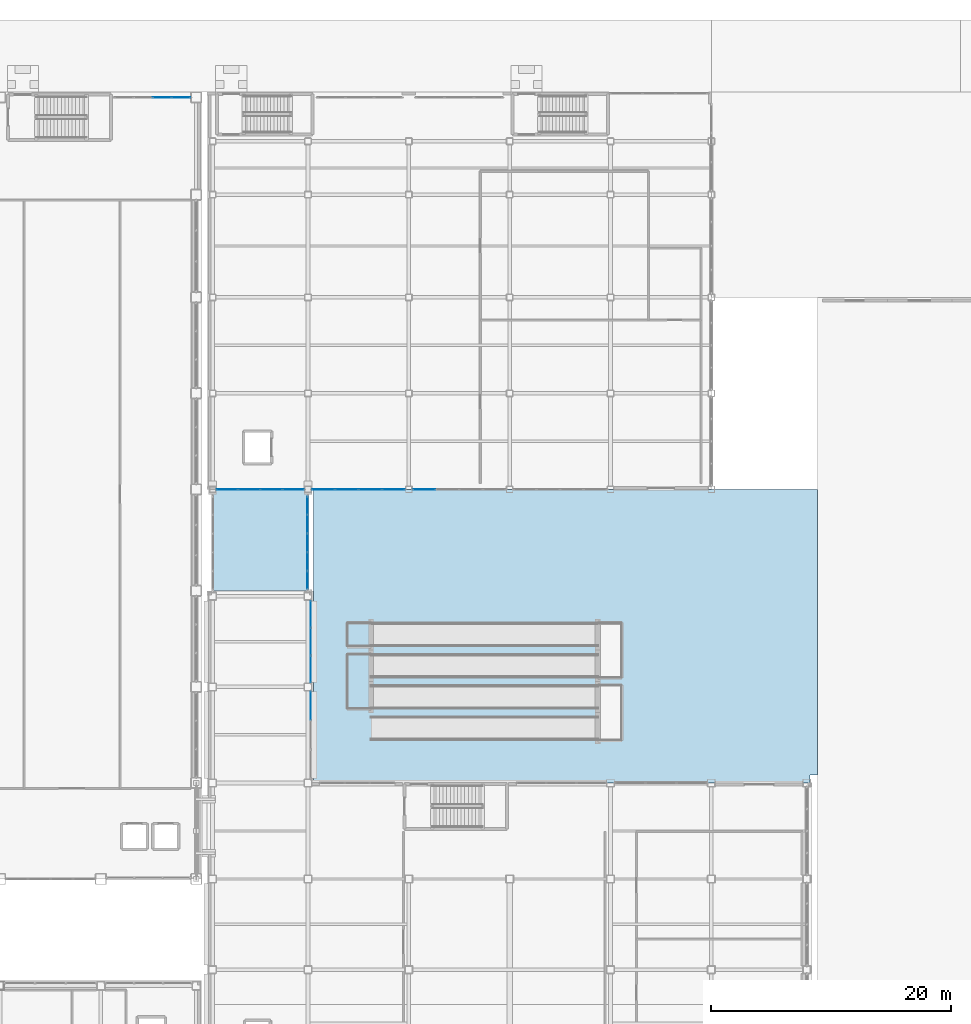
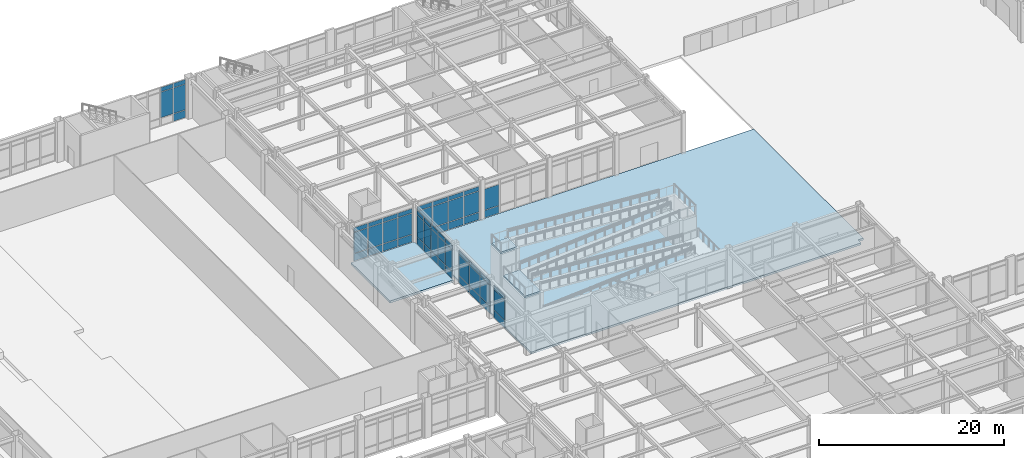
# One storey, part 117 of 165: 58 plates, 4 slabs, 8 elements without a shape of their own.
"""IFC4 building model written with IfcOpenShell, lengths in metres."""

import ifcopenshell
import ifcopenshell.guid

model = None  # the IFC model being written
_history = None  # IfcOwnerHistory: only IFC2X3 demands one
_inside = {}  # id of a spatial element -> (the spatial element, [elements in it])
_under = {}  # id of a project, library or spatial element -> (it, [spatial elements below it])
_declared = {}  # id of a project -> (the project, [libraries it declares])
_typed = {}  # id of a type object -> (the type object, [elements of that type])
_made_of = {}  # id of a material, layer set ... -> (it, [elements and type objects made of it])


def new_model(schema):
    """Start an empty IFC model of exactly this schema.

    Asked for "IFC4X3", IfcOpenShell would pick the latest addendum, in which some entities
    have other attributes; the version numbers below select the first issue.
    IFC2X3 requires an IfcOwnerHistory on every rooted entity: one is made here for all.
    """
    global model, _history
    if schema == "IFC4X3":
        model = ifcopenshell.file(schema_version=(4, 3, 0, 0))
    else:
        model = ifcopenshell.file(schema=schema)
    _inside.clear()
    _under.clear()
    _declared.clear()
    _typed.clear()
    _made_of.clear()
    _history = None
    if model.schema == "IFC2X3":
        org = make("IfcOrganization", Name="unknown")
        user = make(
            "IfcPersonAndOrganization",
            ThePerson=make("IfcPerson", FamilyName="unknown"),
            TheOrganization=org,
        )
        app = make(
            "IfcApplication",
            ApplicationDeveloper=org,
            Version="unknown",
            ApplicationFullName="unknown",
            ApplicationIdentifier="unknown",
        )
        _history = make(
            "IfcOwnerHistory",
            OwningUser=user,
            OwningApplication=app,
            ChangeAction="ADDED",
            CreationDate=0,
        )
    return model


def make(cls, **values):
    """One entity of the class cls with the attributes given. An attribute that is None is left unset."""
    return model.create_entity(
        cls, **{name: value for name, value in values.items() if value is not None}
    )


def rooted(cls, **values):
    """An entity with a GlobalId (a new one), such as an element, a storey or a relation."""
    return make(cls, GlobalId=ifcopenshell.guid.new(), OwnerHistory=_history, **values)


def si_unit(unit_type, name, prefix=None):
    """IfcSIUnit, for example si_unit("LENGTHUNIT", "METRE", prefix="MILLI")."""
    return make("IfcSIUnit", UnitType=unit_type, Prefix=prefix, Name=name)


def assignment(units):
    """IfcUnitAssignment: the units of a project."""
    return None if units is None else make("IfcUnitAssignment", Units=units)


def point(xyz):
    """IfcCartesianPoint."""
    return None if xyz is None else make("IfcCartesianPoint", Coordinates=xyz)


def direction(xyz):
    """IfcDirection."""
    return None if xyz is None else make("IfcDirection", DirectionRatios=xyz)


def frame(location, z_axis=None, x_axis=None):
    """IfcAxis2Placement3D, a coordinate frame: its origin and axes. An axis left out is left unset."""
    return make(
        "IfcAxis2Placement3D",
        Location=point(location),
        Axis=direction(z_axis),
        RefDirection=direction(x_axis),
    )


def frame_2d(location, x_axis=None):
    """IfcAxis2Placement2D, a coordinate frame in the plane: its origin and x axis."""
    return make(
        "IfcAxis2Placement2D", Location=point(location), RefDirection=direction(x_axis)
    )


def origin():
    """The frame at (0, 0, 0) with its axes left unset."""
    return frame((0.0, 0.0, 0.0))


def origin_2d():
    """The frame at (0, 0) in the plane with its x axis left unset."""
    return frame_2d((0.0, 0.0))


def place(relative_to, where):
    """IfcLocalPlacement: puts the frame where relative to a parent placement (None: the world)."""
    return make(
        "IfcLocalPlacement", PlacementRelTo=relative_to, RelativePlacement=where
    )


def context(
    kind, dimensions, precision=None, world=None, true_north=None, identifier=None
):
    """IfcGeometricRepresentationContext, for example the 3D "Model" context."""
    return make(
        "IfcGeometricRepresentationContext",
        ContextIdentifier=identifier,
        ContextType=kind,
        CoordinateSpaceDimension=dimensions,
        Precision=precision,
        WorldCoordinateSystem=world,
        TrueNorth=true_north,
    )


def subcontext(parent, identifier, kind, view, scale=None):
    """IfcGeometricRepresentationSubContext, for example "Body" below "Model"."""
    return make(
        "IfcGeometricRepresentationSubContext",
        ContextIdentifier=identifier,
        ContextType=kind,
        ParentContext=parent,
        TargetScale=scale,
        TargetView=view,
    )


def project(units=None, contexts=None):
    """IfcProject with its units and contexts."""
    return rooted(
        "IfcProject",
        Name="project",
        RepresentationContexts=contexts,
        UnitsInContext=assignment(units),
    )


def spatial(cls, under=None, at=None, **own):
    """A site, building, storey or space (cls), placed at a placement, below another one or the project."""
    s = rooted(cls, ObjectPlacement=at, **own)
    if under is not None:
        _under.setdefault(under.id(), (under, []))[1].append(s)
    return s


def polyline(points):
    """IfcPolyline through the points."""
    return make("IfcPolyline", Points=[point(p) for p in points])


def profile(cls, at=None, kind="AREA", **sizes):
    """A parametric profile (cls). Its sizes go by their IFC names, for example OverallWidth=200.0."""
    return make(cls, ProfileType=kind, Position=at, **sizes)


def rectangle(**sizes):
    """IfcRectangleProfileDef."""
    return profile("IfcRectangleProfileDef", **sizes)


def outline(outer, holes=None, kind="AREA"):
    """IfcArbitraryClosedProfileDef: a profile drawn as a closed curve; with holes, ...WithVoids."""
    if holes is None:
        return make("IfcArbitraryClosedProfileDef", ProfileType=kind, OuterCurve=outer)
    return make(
        "IfcArbitraryProfileDefWithVoids",
        ProfileType=kind,
        OuterCurve=outer,
        InnerCurves=holes,
    )


def extrude(swept, where, along, depth):
    """IfcExtrudedAreaSolid: the profile swept, set in the frame where, extruded along a direction by depth."""
    return make(
        "IfcExtrudedAreaSolid",
        SweptArea=swept,
        Position=where,
        ExtrudedDirection=direction(along),
        Depth=depth,
    )


def shape(context_of_items, identifier, shape_type, items):
    """IfcShapeRepresentation: the items that make up one representation, for example the "Body"."""
    return make(
        "IfcShapeRepresentation",
        ContextOfItems=context_of_items,
        RepresentationIdentifier=identifier,
        RepresentationType=shape_type,
        Items=items,
    )


def material(Name=None, Category=None):
    """IfcMaterial."""
    return make("IfcMaterial", Name=Name, Category=Category)


def layer(
    of_material, thickness, ventilated=None, Name=None, Category=None, Priority=None
):
    """IfcMaterialLayer: one layer of a wall or slab, of a material (None: an air gap)."""
    return make(
        "IfcMaterialLayer",
        Material=of_material,
        LayerThickness=thickness,
        IsVentilated=ventilated,
        Name=Name,
        Category=Category,
        Priority=Priority,
    )


def layer_set(layers, Name=None):
    """IfcMaterialLayerSet."""
    return make("IfcMaterialLayerSet", MaterialLayers=layers, LayerSetName=Name)


def made_of(thing, what):
    """Note that an element or type object is made of a material, layer set ...; save() writes the relation."""
    if what is not None:
        _made_of.setdefault(what.id(), (what, []))[1].append(thing)
    return thing


def type_object(cls, material=None, **own):
    """A type object (cls), such as IfcWallType, which elements share."""
    return made_of(rooted(cls, **own), material)


def element(
    cls,
    number,
    at=None,
    inside=None,
    cuts=None,
    type_object=None,
    material=None,
    context=None,
    identifier="Body",
    shape_type=None,
    held_by="IfcProductDefinitionShape",
    body=None,
    shapes=None,
    **own,
):
    """One element of the class cls, such as IfcWall. Its Tag is "e" and its number.

    at: its placement. inside: the storey or other place that contains it. cuts: it is an
    opening in that element (IfcRelVoidsElement). A single representation is given by context,
    identifier, shape_type and body (its items); several are given by shapes. held_by: the class
    of the entity that holds the representations. save() writes the other relations.
    """
    e = rooted(cls, Tag="e%d" % number, ObjectPlacement=at, **own)
    if body is not None:
        shapes = [shape(context, identifier, shape_type, body)]
    if shapes is not None:
        e.Representation = make(held_by, Representations=shapes)
    if inside is not None:
        _inside.setdefault(inside.id(), (inside, []))[1].append(e)
    if cuts is not None:
        rooted(
            "IfcRelVoidsElement", RelatingBuildingElement=cuts, RelatedOpeningElement=e
        )
    if type_object is not None:
        _typed.setdefault(type_object.id(), (type_object, []))[1].append(e)
    return made_of(e, material)


def aggregate(whole, parts):
    """IfcRelAggregates: a whole, such as a stair, and the parts it consists of."""
    return rooted("IfcRelAggregates", RelatingObject=whole, RelatedObjects=parts)


def save(model, path):
    """Write the relations noted so far, then the file.

    IfcRelAggregates (storeys below a building ...), IfcRelContainedInSpatialStructure (elements
    in a storey), IfcRelDefinesByType, IfcRelAssociatesMaterial and IfcRelDeclares: one each for
    every whole, place, type object, material and project.
    """
    for whole, parts in _under.values():
        aggregate(whole, parts)
    for where, things in _inside.values():
        rooted(
            "IfcRelContainedInSpatialStructure",
            RelatedElements=things,
            RelatingStructure=where,
        )
    for kind, things in _typed.values():
        rooted("IfcRelDefinesByType", RelatedObjects=things, RelatingType=kind)
    for what, things in _made_of.values():
        rooted("IfcRelAssociatesMaterial", RelatedObjects=things, RelatingMaterial=what)
    for by, libraries in _declared.values():
        rooted("IfcRelDeclares", RelatingContext=by, RelatedDefinitions=libraries)
    model.write(path)


model = new_model("IFC4")

# Units and contexts
model_context = context("Model", 3, precision=1e-05, world=origin(), true_north=direction((0.0, 1.0)))
body_context = subcontext(model_context, "Body", "Model", "MODEL_VIEW")
ifc_project = project(units=[si_unit("LENGTHUNIT", "METRE"), si_unit("AREAUNIT", "SQUARE_METRE"), si_unit("VOLUMEUNIT", "CUBIC_METRE"), si_unit("PLANEANGLEUNIT", "RADIAN"), si_unit("MASSUNIT", "GRAM", prefix="KILO")], contexts=[model_context])

# Site, building, storey
site_placement = place(None, origin())
site = spatial("IfcSite", under=ifc_project, at=site_placement, CompositionType="ELEMENT")
building_placement = place(site_placement, origin())
building = spatial("IfcBuilding", under=site, at=building_placement, Name="Kazehara Bluff Congress Hotel", CompositionType="ELEMENT")
storey_placement = place(building_placement, origin())
storey = spatial("IfcBuildingStorey", under=building, at=storey_placement, Name="L00", CompositionType="ELEMENT", Elevation=0.0)

# Curtain wall, plates
ifc_material_1 = material(Name="Anodised aluminium", Category="aluminium")
ifc_layer_1 = layer(ifc_material_1, 0.159912109375)
ifc_layer_set_1 = layer_set([ifc_layer_1], Name="Anodised aluminium")
curtain_wall_type_1 = type_object("IfcCurtainWallType", Name="TP-CW-01", PredefinedType="NOTDEFINED", material=ifc_layer_set_1)
curtain_wall_1_placement = place(storey_placement, origin())
curtain_wall_1 = element("IfcCurtainWall", 1, at=curtain_wall_1_placement, inside=storey, type_object=curtain_wall_type_1, Name="L00 curtain wall CW-01 CW-BRG-34-L00-B", PredefinedType="NOTDEFINED")
ifc_material_2 = material(Name="Insulated low-E double glazing", Category="glass")
ifc_layer_2 = layer(ifc_material_2, 0.031982421875)
ifc_layer_set_2 = layer_set([ifc_layer_2], Name="Insulated low-E double glazing")
plate_type = type_object("IfcPlateType", Name="TP-CWP-02", PredefinedType="CURTAIN_PANEL", material=ifc_layer_set_2)
plate_1_placement = place(storey_placement, frame((67.60009765625, 73.347412109375, 0.06494140625), z_axis=(0.0, 0.0, 1.0), x_axis=(0.0, 1.0, 0.0)))
plate_1 = element("IfcPlate", 2, at=plate_1_placement, type_object=plate_type, Name="CW-01 panel 1.1", PredefinedType="CURTAIN_PANEL", context=body_context, shape_type="SweptSolid", body=[
    extrude(rectangle(XDim=1.455078125, YDim=0.031982421875, at=origin_2d()), origin(), (0.0, 0.0, 1.0), 0.952392578125),
])
plate_2_placement = place(storey_placement, frame((67.60009765625, 73.347412109375, 1.08251953125), z_axis=(0.0, 0.0, 1.0), x_axis=(0.0, 1.0, 0.0)))
plate_2 = element("IfcPlate", 3, at=plate_2_placement, type_object=plate_type, Name="CW-01 panel 1.2", PredefinedType="CURTAIN_PANEL", context=body_context, shape_type="SweptSolid", body=[
    extrude(rectangle(XDim=1.455078125, YDim=0.031982421875, at=origin_2d()), origin(), (0.0, 0.0, 1.0), 2.860107421875),
])
plate_3_placement = place(storey_placement, frame((67.60009765625, 73.347412109375, 4.00732421875), z_axis=(0.0, 0.0, 1.0), x_axis=(0.0, 1.0, 0.0)))
plate_3 = element("IfcPlate", 4, at=plate_3_placement, type_object=plate_type, Name="CW-01 panel 1.3", PredefinedType="CURTAIN_PANEL", context=body_context, shape_type="SweptSolid", body=[
    extrude(rectangle(XDim=1.455078125, YDim=0.031982421875, at=origin_2d()), origin(), (0.0, 0.0, 1.0), 0.552490234375),
])
plate_4_placement = place(storey_placement, frame((67.60009765625, 74.889892578125, 0.06494140625), z_axis=(0.0, 0.0, 1.0), x_axis=(0.0, 1.0, 0.0)))
plate_4 = element("IfcPlate", 5, at=plate_4_placement, type_object=plate_type, Name="CW-01 panel 2.1", PredefinedType="CURTAIN_PANEL", context=body_context, shape_type="SweptSolid", body=[
    extrude(rectangle(XDim=1.489990234375, YDim=0.031982421875, at=origin_2d()), origin(), (0.0, 0.0, 1.0), 0.952392578125),
])
plate_5_placement = place(storey_placement, frame((67.60009765625, 74.889892578125, 1.08251953125), z_axis=(0.0, 0.0, 1.0), x_axis=(0.0, 1.0, 0.0)))
plate_5 = element("IfcPlate", 6, at=plate_5_placement, type_object=plate_type, Name="CW-01 panel 2.2", PredefinedType="CURTAIN_PANEL", context=body_context, shape_type="SweptSolid", body=[
    extrude(rectangle(XDim=1.489990234375, YDim=0.031982421875, at=origin_2d()), origin(), (0.0, 0.0, 1.0), 2.860107421875),
])
plate_6_placement = place(storey_placement, frame((67.60009765625, 74.889892578125, 4.00732421875), z_axis=(0.0, 0.0, 1.0), x_axis=(0.0, 1.0, 0.0)))
plate_6 = element("IfcPlate", 7, at=plate_6_placement, type_object=plate_type, Name="CW-01 panel 2.3", PredefinedType="CURTAIN_PANEL", context=body_context, shape_type="SweptSolid", body=[
    extrude(rectangle(XDim=1.489990234375, YDim=0.031982421875, at=origin_2d()), origin(), (0.0, 0.0, 1.0), 0.552490234375),
])
plate_7_placement = place(storey_placement, frame((67.60009765625, 76.449951171875, 0.06494140625), z_axis=(0.0, 0.0, 1.0), x_axis=(0.0, 1.0, 0.0)))
plate_7 = element("IfcPlate", 8, at=plate_7_placement, type_object=plate_type, Name="CW-01 panel 3.1", PredefinedType="CURTAIN_PANEL", context=body_context, shape_type="SweptSolid", body=[
    extrude(rectangle(XDim=1.489990234375, YDim=0.031982421875, at=origin_2d()), origin(), (0.0, 0.0, 1.0), 0.952392578125),
])
plate_8_placement = place(storey_placement, frame((67.60009765625, 76.449951171875, 1.08251953125), z_axis=(0.0, 0.0, 1.0), x_axis=(0.0, 1.0, 0.0)))
plate_8 = element("IfcPlate", 9, at=plate_8_placement, type_object=plate_type, Name="CW-01 panel 3.2", PredefinedType="CURTAIN_PANEL", context=body_context, shape_type="SweptSolid", body=[
    extrude(rectangle(XDim=1.489990234375, YDim=0.031982421875, at=origin_2d()), origin(), (0.0, 0.0, 1.0), 2.860107421875),
])
plate_9_placement = place(storey_placement, frame((67.60009765625, 76.449951171875, 4.00732421875), z_axis=(0.0, 0.0, 1.0), x_axis=(0.0, 1.0, 0.0)))
plate_9 = element("IfcPlate", 10, at=plate_9_placement, type_object=plate_type, Name="CW-01 panel 3.3", PredefinedType="CURTAIN_PANEL", context=body_context, shape_type="SweptSolid", body=[
    extrude(rectangle(XDim=1.489990234375, YDim=0.031982421875, at=origin_2d()), origin(), (0.0, 0.0, 1.0), 0.552490234375),
])
plate_10_placement = place(storey_placement, frame((67.60009765625, 78.010009765625, 0.06494140625), z_axis=(0.0, 0.0, 1.0), x_axis=(0.0, 1.0, 0.0)))
plate_10 = element("IfcPlate", 11, at=plate_10_placement, type_object=plate_type, Name="CW-01 panel 4.1", PredefinedType="CURTAIN_PANEL", context=body_context, shape_type="SweptSolid", body=[
    extrude(rectangle(XDim=1.489990234375, YDim=0.031982421875, at=origin_2d()), origin(), (0.0, 0.0, 1.0), 0.952392578125),
])
plate_11_placement = place(storey_placement, frame((67.60009765625, 78.010009765625, 1.08251953125), z_axis=(0.0, 0.0, 1.0), x_axis=(0.0, 1.0, 0.0)))
plate_11 = element("IfcPlate", 12, at=plate_11_placement, type_object=plate_type, Name="CW-01 panel 4.2", PredefinedType="CURTAIN_PANEL", context=body_context, shape_type="SweptSolid", body=[
    extrude(rectangle(XDim=1.489990234375, YDim=0.031982421875, at=origin_2d()), origin(), (0.0, 0.0, 1.0), 2.860107421875),
])
plate_12_placement = place(storey_placement, frame((67.60009765625, 78.010009765625, 4.00732421875), z_axis=(0.0, 0.0, 1.0), x_axis=(0.0, 1.0, 0.0)))
plate_12 = element("IfcPlate", 13, at=plate_12_placement, type_object=plate_type, Name="CW-01 panel 4.3", PredefinedType="CURTAIN_PANEL", context=body_context, shape_type="SweptSolid", body=[
    extrude(rectangle(XDim=1.489990234375, YDim=0.031982421875, at=origin_2d()), origin(), (0.0, 0.0, 1.0), 0.552490234375),
])
plate_13_placement = place(storey_placement, frame((67.60009765625, 79.552490234375, 0.06494140625), z_axis=(0.0, 0.0, 1.0), x_axis=(0.0, 1.0, 0.0)))
plate_13 = element("IfcPlate", 14, at=plate_13_placement, type_object=plate_type, Name="CW-01 panel 5.1", PredefinedType="CURTAIN_PANEL", context=body_context, shape_type="SweptSolid", body=[
    extrude(rectangle(XDim=1.455078125, YDim=0.031982421875, at=origin_2d()), origin(), (0.0, 0.0, 1.0), 0.952392578125),
])
plate_14_placement = place(storey_placement, frame((67.60009765625, 79.552490234375, 1.08251953125), z_axis=(0.0, 0.0, 1.0), x_axis=(0.0, 1.0, 0.0)))
plate_14 = element("IfcPlate", 15, at=plate_14_placement, type_object=plate_type, Name="CW-01 panel 5.2", PredefinedType="CURTAIN_PANEL", context=body_context, shape_type="SweptSolid", body=[
    extrude(rectangle(XDim=1.455078125, YDim=0.031982421875, at=origin_2d()), origin(), (0.0, 0.0, 1.0), 2.860107421875),
])
plate_15_placement = place(storey_placement, frame((67.60009765625, 79.552490234375, 4.00732421875), z_axis=(0.0, 0.0, 1.0), x_axis=(0.0, 1.0, 0.0)))
plate_15 = element("IfcPlate", 16, at=plate_15_placement, type_object=plate_type, Name="CW-01 panel 5.3", PredefinedType="CURTAIN_PANEL", context=body_context, shape_type="SweptSolid", body=[
    extrude(rectangle(XDim=1.455078125, YDim=0.031982421875, at=origin_2d()), origin(), (0.0, 0.0, 1.0), 0.552490234375),
])
aggregate(curtain_wall_1, [plate_1, plate_2, plate_3, plate_4, plate_5, plate_6, plate_7, plate_8, plate_9, plate_10, plate_11, plate_12, plate_13, plate_14, plate_15])

ifc_material_3 = material(Name="Anodised aluminium", Category="aluminium")
ifc_layer_3 = layer(ifc_material_3, 0.159912109375)
ifc_layer_set_3 = layer_set([ifc_layer_3], Name="Anodised aluminium")
curtain_wall_type_2 = type_object("IfcCurtainWallType", Name="TP-CW-06", PredefinedType="NOTDEFINED", material=ifc_layer_set_3)
curtain_wall_2_placement = place(storey_placement, origin())
curtain_wall_2 = element("IfcCurtainWall", 17, at=curtain_wall_2_placement, inside=storey, type_object=curtain_wall_type_2, Name="L00 curtain wall CW-06 CW-V1-L00-Y11355-5150", PredefinedType="NOTDEFINED")
plate_16_placement = place(storey_placement, frame((55.5, 113.550048828125, 1.080078125), z_axis=(0.0, 0.0, 1.0), x_axis=(1.0, 0.0, 0.0)))
plate_16 = element("IfcPlate", 18, at=plate_16_placement, type_object=plate_type, Name="CW-06 panel 3.2", PredefinedType="CURTAIN_PANEL", context=body_context, shape_type="SweptSolid", body=[
    extrude(rectangle(XDim=1.530029296875, YDim=0.031982421875, at=origin_2d()), origin(), (0.0, 0.0, 1.0), 3.375),
])
plate_17_placement = place(storey_placement, frame((55.5, 113.550048828125, 4.514892578125), z_axis=(0.0, 0.0, 1.0), x_axis=(1.0, 0.0, 0.0)))
plate_17 = element("IfcPlate", 19, at=plate_17_placement, type_object=plate_type, Name="CW-06 panel 3.3", PredefinedType="CURTAIN_PANEL", context=body_context, shape_type="SweptSolid", body=[
    extrude(rectangle(XDim=1.530029296875, YDim=0.031982421875, at=origin_2d()), origin(), (0.0, 0.0, 1.0), 0.56005859375),
])
plate_18_placement = place(storey_placement, frame((57.08251953125, 113.550048828125, 0.06005859375), z_axis=(0.0, 0.0, 1.0), x_axis=(1.0, 0.0, 0.0)))
plate_18 = element("IfcPlate", 20, at=plate_18_placement, type_object=plate_type, Name="CW-06 panel 4.1", PredefinedType="CURTAIN_PANEL", context=body_context, shape_type="SweptSolid", body=[
    extrude(rectangle(XDim=1.4951171875, YDim=0.031982421875, at=origin_2d()), origin(), (0.0, 0.0, 1.0), 0.9599609375),
])
plate_19_placement = place(storey_placement, frame((57.08251953125, 113.550048828125, 1.080078125), z_axis=(0.0, 0.0, 1.0), x_axis=(1.0, 0.0, 0.0)))
plate_19 = element("IfcPlate", 21, at=plate_19_placement, type_object=plate_type, Name="CW-06 panel 4.2", PredefinedType="CURTAIN_PANEL", context=body_context, shape_type="SweptSolid", body=[
    extrude(rectangle(XDim=1.4951171875, YDim=0.031982421875, at=origin_2d()), origin(), (0.0, 0.0, 1.0), 3.375),
])
plate_20_placement = place(storey_placement, frame((57.08251953125, 113.550048828125, 4.514892578125), z_axis=(0.0, 0.0, 1.0), x_axis=(1.0, 0.0, 0.0)))
plate_20 = element("IfcPlate", 22, at=plate_20_placement, type_object=plate_type, Name="CW-06 panel 4.3", PredefinedType="CURTAIN_PANEL", context=body_context, shape_type="SweptSolid", body=[
    extrude(rectangle(XDim=1.4951171875, YDim=0.031982421875, at=origin_2d()), origin(), (0.0, 0.0, 1.0), 0.56005859375),
])
aggregate(curtain_wall_2, [plate_16, plate_17, plate_18, plate_19, plate_20])

ifc_material_4 = material(Name="Anodised aluminium", Category="aluminium")
ifc_layer_4 = layer(ifc_material_4, 0.159912109375)
ifc_layer_set_4 = layer_set([ifc_layer_4], Name="Anodised aluminium")
curtain_wall_type_3 = type_object("IfcCurtainWallType", Name="TP-CW-35", PredefinedType="NOTDEFINED", material=ifc_layer_set_4)
curtain_wall_3_placement = place(storey_placement, origin())
curtain_wall_3 = element("IfcCurtainWall", 23, at=curtain_wall_3_placement, inside=storey, type_object=curtain_wall_type_3, Name="L00 curtain wall CW-35 CW-V3-L00-Y8090-5998", PredefinedType="NOTDEFINED")
plate_21_placement = place(storey_placement, frame((60.91748046875, 80.89990234375, 0.06494140625), z_axis=(0.0, 0.0, 1.0), x_axis=(1.0, 0.0, 0.0)))
plate_21 = element("IfcPlate", 24, at=plate_21_placement, type_object=plate_type, Name="CW-35 panel 1.1", PredefinedType="CURTAIN_PANEL", context=body_context, shape_type="SweptSolid", body=[
    extrude(rectangle(XDim=1.7451171875, YDim=0.031982421875, at=origin_2d()), origin(), (0.0, 0.0, 1.0), 0.952392578125),
])
plate_22_placement = place(storey_placement, frame((60.91748046875, 80.89990234375, 1.08251953125), z_axis=(0.0, 0.0, 1.0), x_axis=(1.0, 0.0, 0.0)))
plate_22 = element("IfcPlate", 25, at=plate_22_placement, type_object=plate_type, Name="CW-35 panel 1.2", PredefinedType="CURTAIN_PANEL", context=body_context, shape_type="SweptSolid", body=[
    extrude(rectangle(XDim=1.7451171875, YDim=0.031982421875, at=origin_2d()), origin(), (0.0, 0.0, 1.0), 2.760009765625),
])
plate_23_placement = place(storey_placement, frame((60.91748046875, 80.89990234375, 3.90771484375), z_axis=(0.0, 0.0, 1.0), x_axis=(1.0, 0.0, 0.0)))
plate_23 = element("IfcPlate", 26, at=plate_23_placement, type_object=plate_type, Name="CW-35 panel 1.3", PredefinedType="CURTAIN_PANEL", context=body_context, shape_type="SweptSolid", body=[
    extrude(rectangle(XDim=1.7451171875, YDim=0.031982421875, at=origin_2d()), origin(), (0.0, 0.0, 1.0), 0.552490234375),
])
plate_24_placement = place(storey_placement, frame((62.75, 80.89990234375, 0.06494140625), z_axis=(0.0, 0.0, 1.0), x_axis=(1.0, 0.0, 0.0)))
plate_24 = element("IfcPlate", 27, at=plate_24_placement, type_object=plate_type, Name="CW-35 panel 2.1", PredefinedType="CURTAIN_PANEL", context=body_context, shape_type="SweptSolid", body=[
    extrude(rectangle(XDim=1.780029296875, YDim=0.031982421875, at=origin_2d()), origin(), (0.0, 0.0, 1.0), 0.952392578125),
])
plate_25_placement = place(storey_placement, frame((62.75, 80.89990234375, 1.08251953125), z_axis=(0.0, 0.0, 1.0), x_axis=(1.0, 0.0, 0.0)))
plate_25 = element("IfcPlate", 28, at=plate_25_placement, type_object=plate_type, Name="CW-35 panel 2.2", PredefinedType="CURTAIN_PANEL", context=body_context, shape_type="SweptSolid", body=[
    extrude(rectangle(XDim=1.780029296875, YDim=0.031982421875, at=origin_2d()), origin(), (0.0, 0.0, 1.0), 2.760009765625),
])
plate_26_placement = place(storey_placement, frame((62.75, 80.89990234375, 3.90771484375), z_axis=(0.0, 0.0, 1.0), x_axis=(1.0, 0.0, 0.0)))
plate_26 = element("IfcPlate", 29, at=plate_26_placement, type_object=plate_type, Name="CW-35 panel 2.3", PredefinedType="CURTAIN_PANEL", context=body_context, shape_type="SweptSolid", body=[
    extrude(rectangle(XDim=1.780029296875, YDim=0.031982421875, at=origin_2d()), origin(), (0.0, 0.0, 1.0), 0.552490234375),
])
plate_27_placement = place(storey_placement, frame((64.60009765625, 80.89990234375, 0.06494140625), z_axis=(0.0, 0.0, 1.0), x_axis=(1.0, 0.0, 0.0)))
plate_27 = element("IfcPlate", 30, at=plate_27_placement, type_object=plate_type, Name="CW-35 panel 3.1", PredefinedType="CURTAIN_PANEL", context=body_context, shape_type="SweptSolid", body=[
    extrude(rectangle(XDim=1.780029296875, YDim=0.031982421875, at=origin_2d()), origin(), (0.0, 0.0, 1.0), 0.952392578125),
])
plate_28_placement = place(storey_placement, frame((64.60009765625, 80.89990234375, 1.08251953125), z_axis=(0.0, 0.0, 1.0), x_axis=(1.0, 0.0, 0.0)))
plate_28 = element("IfcPlate", 31, at=plate_28_placement, type_object=plate_type, Name="CW-35 panel 3.2", PredefinedType="CURTAIN_PANEL", context=body_context, shape_type="SweptSolid", body=[
    extrude(rectangle(XDim=1.780029296875, YDim=0.031982421875, at=origin_2d()), origin(), (0.0, 0.0, 1.0), 2.760009765625),
])
plate_29_placement = place(storey_placement, frame((64.60009765625, 80.89990234375, 3.90771484375), z_axis=(0.0, 0.0, 1.0), x_axis=(1.0, 0.0, 0.0)))
plate_29 = element("IfcPlate", 32, at=plate_29_placement, type_object=plate_type, Name="CW-35 panel 3.3", PredefinedType="CURTAIN_PANEL", context=body_context, shape_type="SweptSolid", body=[
    extrude(rectangle(XDim=1.780029296875, YDim=0.031982421875, at=origin_2d()), origin(), (0.0, 0.0, 1.0), 0.552490234375),
])
plate_30_placement = place(storey_placement, frame((66.4326171875, 80.89990234375, 0.06494140625), z_axis=(0.0, 0.0, 1.0), x_axis=(1.0, 0.0, 0.0)))
plate_30 = element("IfcPlate", 33, at=plate_30_placement, type_object=plate_type, Name="CW-35 panel 4.1", PredefinedType="CURTAIN_PANEL", context=body_context, shape_type="SweptSolid", body=[
    extrude(rectangle(XDim=1.7451171875, YDim=0.031982421875, at=origin_2d()), origin(), (0.0, 0.0, 1.0), 0.952392578125),
])
plate_31_placement = place(storey_placement, frame((66.4326171875, 80.89990234375, 1.08251953125), z_axis=(0.0, 0.0, 1.0), x_axis=(1.0, 0.0, 0.0)))
plate_31 = element("IfcPlate", 34, at=plate_31_placement, type_object=plate_type, Name="CW-35 panel 4.2", PredefinedType="CURTAIN_PANEL", context=body_context, shape_type="SweptSolid", body=[
    extrude(rectangle(XDim=1.7451171875, YDim=0.031982421875, at=origin_2d()), origin(), (0.0, 0.0, 1.0), 2.760009765625),
])
plate_32_placement = place(storey_placement, frame((66.4326171875, 80.89990234375, 3.90771484375), z_axis=(0.0, 0.0, 1.0), x_axis=(1.0, 0.0, 0.0)))
plate_32 = element("IfcPlate", 35, at=plate_32_placement, type_object=plate_type, Name="CW-35 panel 4.3", PredefinedType="CURTAIN_PANEL", context=body_context, shape_type="SweptSolid", body=[
    extrude(rectangle(XDim=1.7451171875, YDim=0.031982421875, at=origin_2d()), origin(), (0.0, 0.0, 1.0), 0.552490234375),
])
aggregate(curtain_wall_3, [plate_21, plate_22, plate_23, plate_24, plate_25, plate_26, plate_27, plate_28, plate_29, plate_30, plate_31, plate_32])

ifc_material_5 = material(Name="Anodised aluminium", Category="aluminium")
ifc_layer_5 = layer(ifc_material_5, 0.159912109375)
ifc_layer_set_5 = layer_set([ifc_layer_5], Name="Anodised aluminium")
curtain_wall_type_4 = type_object("IfcCurtainWallType", Name="TP-CW-36", PredefinedType="NOTDEFINED", material=ifc_layer_set_5)
curtain_wall_4_placement = place(storey_placement, origin())
curtain_wall_4 = element("IfcCurtainWall", 36, at=curtain_wall_4_placement, inside=storey, type_object=curtain_wall_type_4, Name="L00 curtain wall CW-36 CW-V3-L00-Y8090-6792", PredefinedType="NOTDEFINED")
plate_33_placement = place(storey_placement, frame((68.923828125, 80.89990234375, 0.06494140625), z_axis=(0.0, 0.0, 1.0), x_axis=(1.0, 0.0, 0.0)))
plate_33 = element("IfcPlate", 37, at=plate_33_placement, type_object=plate_type, Name="CW-36 panel 1.1", PredefinedType="CURTAIN_PANEL", context=body_context, shape_type="SweptSolid", body=[
    extrude(rectangle(XDim=1.857421875, YDim=0.031982421875, at=origin_2d()), origin(), (0.0, 0.0, 1.0), 0.952392578125),
])
plate_34_placement = place(storey_placement, frame((68.923828125, 80.89990234375, 1.08251953125), z_axis=(0.0, 0.0, 1.0), x_axis=(1.0, 0.0, 0.0)))
plate_34 = element("IfcPlate", 38, at=plate_34_placement, type_object=plate_type, Name="CW-36 panel 1.2", PredefinedType="CURTAIN_PANEL", context=body_context, shape_type="SweptSolid", body=[
    extrude(rectangle(XDim=1.857421875, YDim=0.031982421875, at=origin_2d()), origin(), (0.0, 0.0, 1.0), 2.760009765625),
])
plate_35_placement = place(storey_placement, frame((68.923828125, 80.89990234375, 3.90771484375), z_axis=(0.0, 0.0, 1.0), x_axis=(1.0, 0.0, 0.0)))
plate_35 = element("IfcPlate", 39, at=plate_35_placement, type_object=plate_type, Name="CW-36 panel 1.3", PredefinedType="CURTAIN_PANEL", context=body_context, shape_type="SweptSolid", body=[
    extrude(rectangle(XDim=1.857421875, YDim=0.031982421875, at=origin_2d()), origin(), (0.0, 0.0, 1.0), 0.552490234375),
])
plate_36_placement = place(storey_placement, frame((70.86865234375, 80.89990234375, 0.06494140625), z_axis=(0.0, 0.0, 1.0), x_axis=(1.0, 0.0, 0.0)))
plate_36 = element("IfcPlate", 40, at=plate_36_placement, type_object=plate_type, Name="CW-36 panel 2.1", PredefinedType="CURTAIN_PANEL", context=body_context, shape_type="SweptSolid", body=[
    extrude(rectangle(XDim=1.892578125, YDim=0.031982421875, at=origin_2d()), origin(), (0.0, 0.0, 1.0), 0.952392578125),
])
plate_37_placement = place(storey_placement, frame((70.86865234375, 80.89990234375, 1.08251953125), z_axis=(0.0, 0.0, 1.0), x_axis=(1.0, 0.0, 0.0)))
plate_37 = element("IfcPlate", 41, at=plate_37_placement, type_object=plate_type, Name="CW-36 panel 2.2", PredefinedType="CURTAIN_PANEL", context=body_context, shape_type="SweptSolid", body=[
    extrude(rectangle(XDim=1.892578125, YDim=0.031982421875, at=origin_2d()), origin(), (0.0, 0.0, 1.0), 2.760009765625),
])
plate_38_placement = place(storey_placement, frame((70.86865234375, 80.89990234375, 3.90771484375), z_axis=(0.0, 0.0, 1.0), x_axis=(1.0, 0.0, 0.0)))
plate_38 = element("IfcPlate", 42, at=plate_38_placement, type_object=plate_type, Name="CW-36 panel 2.3", PredefinedType="CURTAIN_PANEL", context=body_context, shape_type="SweptSolid", body=[
    extrude(rectangle(XDim=1.892578125, YDim=0.031982421875, at=origin_2d()), origin(), (0.0, 0.0, 1.0), 0.552490234375),
])
plate_39_placement = place(storey_placement, frame((72.831298828125, 80.89990234375, 0.06494140625), z_axis=(0.0, 0.0, 1.0), x_axis=(1.0, 0.0, 0.0)))
plate_39 = element("IfcPlate", 43, at=plate_39_placement, type_object=plate_type, Name="CW-36 panel 3.1", PredefinedType="CURTAIN_PANEL", context=body_context, shape_type="SweptSolid", body=[
    extrude(rectangle(XDim=1.892578125, YDim=0.031982421875, at=origin_2d()), origin(), (0.0, 0.0, 1.0), 0.952392578125),
])
plate_40_placement = place(storey_placement, frame((72.831298828125, 80.89990234375, 1.08251953125), z_axis=(0.0, 0.0, 1.0), x_axis=(1.0, 0.0, 0.0)))
plate_40 = element("IfcPlate", 44, at=plate_40_placement, type_object=plate_type, Name="CW-36 panel 3.2", PredefinedType="CURTAIN_PANEL", context=body_context, shape_type="SweptSolid", body=[
    extrude(rectangle(XDim=1.892578125, YDim=0.031982421875, at=origin_2d()), origin(), (0.0, 0.0, 1.0), 2.760009765625),
])
plate_41_placement = place(storey_placement, frame((72.831298828125, 80.89990234375, 3.90771484375), z_axis=(0.0, 0.0, 1.0), x_axis=(1.0, 0.0, 0.0)))
plate_41 = element("IfcPlate", 45, at=plate_41_placement, type_object=plate_type, Name="CW-36 panel 3.3", PredefinedType="CURTAIN_PANEL", context=body_context, shape_type="SweptSolid", body=[
    extrude(rectangle(XDim=1.892578125, YDim=0.031982421875, at=origin_2d()), origin(), (0.0, 0.0, 1.0), 0.552490234375),
])
plate_42_placement = place(storey_placement, frame((74.7763671875, 80.89990234375, 0.06494140625), z_axis=(0.0, 0.0, 1.0), x_axis=(1.0, 0.0, 0.0)))
plate_42 = element("IfcPlate", 46, at=plate_42_placement, type_object=plate_type, Name="CW-36 panel 4.1", PredefinedType="CURTAIN_PANEL", context=body_context, shape_type="SweptSolid", body=[
    extrude(rectangle(XDim=1.857421875, YDim=0.031982421875, at=origin_2d()), origin(), (0.0, 0.0, 1.0), 0.952392578125),
])
plate_43_placement = place(storey_placement, frame((74.7763671875, 80.89990234375, 1.08251953125), z_axis=(0.0, 0.0, 1.0), x_axis=(1.0, 0.0, 0.0)))
plate_43 = element("IfcPlate", 47, at=plate_43_placement, type_object=plate_type, Name="CW-36 panel 4.2", PredefinedType="CURTAIN_PANEL", context=body_context, shape_type="SweptSolid", body=[
    extrude(rectangle(XDim=1.857421875, YDim=0.031982421875, at=origin_2d()), origin(), (0.0, 0.0, 1.0), 2.760009765625),
])
plate_44_placement = place(storey_placement, frame((74.7763671875, 80.89990234375, 3.90771484375), z_axis=(0.0, 0.0, 1.0), x_axis=(1.0, 0.0, 0.0)))
plate_44 = element("IfcPlate", 48, at=plate_44_placement, type_object=plate_type, Name="CW-36 panel 4.3", PredefinedType="CURTAIN_PANEL", context=body_context, shape_type="SweptSolid", body=[
    extrude(rectangle(XDim=1.857421875, YDim=0.031982421875, at=origin_2d()), origin(), (0.0, 0.0, 1.0), 0.552490234375),
])
aggregate(curtain_wall_4, [plate_33, plate_34, plate_35, plate_36, plate_37, plate_38, plate_39, plate_40, plate_41, plate_42, plate_43, plate_44])

curtain_wall_5_placement = place(storey_placement, origin())
curtain_wall_5 = element("IfcCurtainWall", 49, at=curtain_wall_5_placement, inside=storey, type_object=curtain_wall_type_4, Name="L00 curtain wall CW-36 CW-V3-L00-Y8090-7632", PredefinedType="NOTDEFINED")
plate_45_placement = place(storey_placement, frame((77.32373046875, 80.89990234375, 0.06494140625), z_axis=(0.0, 0.0, 1.0), x_axis=(1.0, 0.0, 0.0)))
plate_45 = element("IfcPlate", 50, at=plate_45_placement, type_object=plate_type, Name="CW-36 panel 1.1", PredefinedType="CURTAIN_PANEL", context=body_context, shape_type="SweptSolid", body=[
    extrude(rectangle(XDim=1.857421875, YDim=0.031982421875, at=origin_2d()), origin(), (0.0, 0.0, 1.0), 0.952392578125),
])
plate_46_placement = place(storey_placement, frame((77.32373046875, 80.89990234375, 1.08251953125), z_axis=(0.0, 0.0, 1.0), x_axis=(1.0, 0.0, 0.0)))
plate_46 = element("IfcPlate", 51, at=plate_46_placement, type_object=plate_type, Name="CW-36 panel 1.2", PredefinedType="CURTAIN_PANEL", context=body_context, shape_type="SweptSolid", body=[
    extrude(rectangle(XDim=1.857421875, YDim=0.031982421875, at=origin_2d()), origin(), (0.0, 0.0, 1.0), 2.760009765625),
])
aggregate(curtain_wall_5, [plate_45, plate_46])

ifc_material_6 = material(Name="Anodised aluminium", Category="aluminium")
ifc_layer_6 = layer(ifc_material_6, 0.159912109375)
ifc_layer_set_6 = layer_set([ifc_layer_6], Name="Anodised aluminium")
curtain_wall_type_5 = type_object("IfcCurtainWallType", Name="TP-CW-52", PredefinedType="NOTDEFINED", material=ifc_layer_set_6)
curtain_wall_6_placement = place(storey_placement, origin())
curtain_wall_6 = element("IfcCurtainWall", 52, at=curtain_wall_6_placement, inside=storey, type_object=curtain_wall_type_5, Name="L00 curtain wall CW-52 CW-ENC-V4-L00-6788-6045", PredefinedType="NOTDEFINED")
plate_47_placement = place(storey_placement, frame((67.8798828125, 62.882568359375, 0.06494140625), z_axis=(0.0, 0.0, 1.0), x_axis=(0.0, -1.0, 0.0)))
plate_47 = element("IfcPlate", 53, at=plate_47_placement, type_object=plate_type, Name="CW-52 panel 1.1", PredefinedType="CURTAIN_PANEL", context=body_context, shape_type="SweptSolid", body=[
    extrude(rectangle(XDim=2.344970703125, YDim=0.031982421875, at=origin_2d()), origin(), (0.0, 0.0, 1.0), 0.952392578125),
])
plate_48_placement = place(storey_placement, frame((67.8798828125, 62.882568359375, 1.08251953125), z_axis=(0.0, 0.0, 1.0), x_axis=(0.0, -1.0, 0.0)))
plate_48 = element("IfcPlate", 54, at=plate_48_placement, type_object=plate_type, Name="CW-52 panel 1.2", PredefinedType="CURTAIN_PANEL", context=body_context, shape_type="SweptSolid", body=[
    extrude(rectangle(XDim=2.344970703125, YDim=0.031982421875, at=origin_2d()), origin(), (0.0, 0.0, 1.0), 2.7099609375),
])
plate_49_placement = place(storey_placement, frame((67.8798828125, 62.882568359375, 3.857421875), z_axis=(0.0, 0.0, 1.0), x_axis=(0.0, -1.0, 0.0)))
plate_49 = element("IfcPlate", 55, at=plate_49_placement, type_object=plate_type, Name="CW-52 panel 1.3", PredefinedType="CURTAIN_PANEL", context=body_context, shape_type="SweptSolid", body=[
    extrude(rectangle(XDim=2.344970703125, YDim=0.031982421875, at=origin_2d()), origin(), (0.0, 0.0, 1.0), 0.552490234375),
])
aggregate(curtain_wall_6, [plate_47, plate_48, plate_49])

ifc_material_7 = material(Name="Anodised aluminium", Category="aluminium")
ifc_layer_7 = layer(ifc_material_7, 0.159912109375)
ifc_layer_set_7 = layer_set([ifc_layer_7], Name="Anodised aluminium")
curtain_wall_type_6 = type_object("IfcCurtainWallType", Name="TP-CW-51", PredefinedType="NOTDEFINED", material=ifc_layer_set_7)
curtain_wall_7_placement = place(storey_placement, origin())
curtain_wall_7 = element("IfcCurtainWall", 56, at=curtain_wall_7_placement, inside=storey, type_object=curtain_wall_type_6, Name="L00 curtain wall CW-51 CW-ENC-V4-L00-6788-6822", PredefinedType="NOTDEFINED")
plate_50_placement = place(storey_placement, frame((67.8798828125, 70.507568359375, 0.06494140625), z_axis=(0.0, 0.0, 1.0), x_axis=(0.0, -1.0, 0.0)))
plate_50 = element("IfcPlate", 57, at=plate_50_placement, type_object=plate_type, Name="CW-51 panel 1.1", PredefinedType="CURTAIN_PANEL", context=body_context, shape_type="SweptSolid", body=[
    extrude(rectangle(XDim=2.195068359375, YDim=0.031982421875, at=origin_2d()), origin(), (0.0, 0.0, 1.0), 0.952392578125),
])
plate_51_placement = place(storey_placement, frame((67.8798828125, 70.507568359375, 1.08251953125), z_axis=(0.0, 0.0, 1.0), x_axis=(0.0, -1.0, 0.0)))
plate_51 = element("IfcPlate", 58, at=plate_51_placement, type_object=plate_type, Name="CW-51 panel 1.2", PredefinedType="CURTAIN_PANEL", context=body_context, shape_type="SweptSolid", body=[
    extrude(rectangle(XDim=2.195068359375, YDim=0.031982421875, at=origin_2d()), origin(), (0.0, 0.0, 1.0), 2.7099609375),
])
plate_52_placement = place(storey_placement, frame((67.8798828125, 70.507568359375, 3.857421875), z_axis=(0.0, 0.0, 1.0), x_axis=(0.0, -1.0, 0.0)))
plate_52 = element("IfcPlate", 59, at=plate_52_placement, type_object=plate_type, Name="CW-51 panel 1.3", PredefinedType="CURTAIN_PANEL", context=body_context, shape_type="SweptSolid", body=[
    extrude(rectangle(XDim=2.195068359375, YDim=0.031982421875, at=origin_2d()), origin(), (0.0, 0.0, 1.0), 0.552490234375),
])
plate_53_placement = place(storey_placement, frame((67.8798828125, 68.22509765625, 0.06494140625), z_axis=(0.0, 0.0, 1.0), x_axis=(0.0, -1.0, 0.0)))
plate_53 = element("IfcPlate", 60, at=plate_53_placement, type_object=plate_type, Name="CW-51 panel 2.1", PredefinedType="CURTAIN_PANEL", context=body_context, shape_type="SweptSolid", body=[
    extrude(rectangle(XDim=2.22998046875, YDim=0.031982421875, at=origin_2d()), origin(), (0.0, 0.0, 1.0), 0.952392578125),
])
plate_54_placement = place(storey_placement, frame((67.8798828125, 68.22509765625, 1.08251953125), z_axis=(0.0, 0.0, 1.0), x_axis=(0.0, -1.0, 0.0)))
plate_54 = element("IfcPlate", 61, at=plate_54_placement, type_object=plate_type, Name="CW-51 panel 2.2", PredefinedType="CURTAIN_PANEL", context=body_context, shape_type="SweptSolid", body=[
    extrude(rectangle(XDim=2.22998046875, YDim=0.031982421875, at=origin_2d()), origin(), (0.0, 0.0, 1.0), 2.7099609375),
])
plate_55_placement = place(storey_placement, frame((67.8798828125, 68.22509765625, 3.857421875), z_axis=(0.0, 0.0, 1.0), x_axis=(0.0, -1.0, 0.0)))
plate_55 = element("IfcPlate", 62, at=plate_55_placement, type_object=plate_type, Name="CW-51 panel 2.3", PredefinedType="CURTAIN_PANEL", context=body_context, shape_type="SweptSolid", body=[
    extrude(rectangle(XDim=2.22998046875, YDim=0.031982421875, at=origin_2d()), origin(), (0.0, 0.0, 1.0), 0.552490234375),
])
plate_56_placement = place(storey_placement, frame((67.8798828125, 65.9423828125, 0.06494140625), z_axis=(0.0, 0.0, 1.0), x_axis=(0.0, -1.0, 0.0)))
plate_56 = element("IfcPlate", 63, at=plate_56_placement, type_object=plate_type, Name="CW-51 panel 3.1", PredefinedType="CURTAIN_PANEL", context=body_context, shape_type="SweptSolid", body=[
    extrude(rectangle(XDim=2.195068359375, YDim=0.031982421875, at=origin_2d()), origin(), (0.0, 0.0, 1.0), 0.952392578125),
])
plate_57_placement = place(storey_placement, frame((67.8798828125, 65.9423828125, 1.08251953125), z_axis=(0.0, 0.0, 1.0), x_axis=(0.0, -1.0, 0.0)))
plate_57 = element("IfcPlate", 64, at=plate_57_placement, type_object=plate_type, Name="CW-51 panel 3.2", PredefinedType="CURTAIN_PANEL", context=body_context, shape_type="SweptSolid", body=[
    extrude(rectangle(XDim=2.195068359375, YDim=0.031982421875, at=origin_2d()), origin(), (0.0, 0.0, 1.0), 2.7099609375),
])
plate_58_placement = place(storey_placement, frame((67.8798828125, 65.9423828125, 3.857421875), z_axis=(0.0, 0.0, 1.0), x_axis=(0.0, -1.0, 0.0)))
plate_58 = element("IfcPlate", 65, at=plate_58_placement, type_object=plate_type, Name="CW-51 panel 3.3", PredefinedType="CURTAIN_PANEL", context=body_context, shape_type="SweptSolid", body=[
    extrude(rectangle(XDim=2.195068359375, YDim=0.031982421875, at=origin_2d()), origin(), (0.0, 0.0, 1.0), 0.552490234375),
])
aggregate(curtain_wall_7, [plate_50, plate_51, plate_52, plate_53, plate_54, plate_55, plate_56, plate_57, plate_58])

# Ramp, slabs
ifc_material_8 = material(Name="Concrete C36/45", Category="concrete")
ramp_type = type_object("IfcRampType", Name="TP-RMP-ACC", PredefinedType="TWO_STRAIGHT_RUN_RAMP", material=ifc_material_8)
ramp_placement = place(storey_placement, origin())
ramp = element("IfcRamp", 66, at=ramp_placement, inside=storey, type_object=ramp_type, Name="Accessible bluff garden ramp R2", PredefinedType="TWO_STRAIGHT_RUN_RAMP")
ifc_material_9 = material(Name="Concrete C36/45", Category="concrete")
ifc_layer_8 = layer(ifc_material_9, 0.25)
ifc_layer_set_8 = layer_set([ifc_layer_8], Name="Concrete C36/45")
slab_type_1 = type_object("IfcSlabType", Name="TP-RLD-250", PredefinedType="LANDING", material=ifc_layer_set_8)
slab_1_placement = place(storey_placement, frame((0.0, 0.0, 2.449951171875)))
slab_1 = element("IfcSlab", 67, at=slab_1_placement, type_object=slab_type_1, Name="Accessible bluff garden ramp R2 landing L2", PredefinedType="LANDING", context=body_context, shape_type="SweptSolid", body=[
    extrude(outline(polyline([(70.89990234375, 62.60009765625), (72.89990234375, 62.60009765625), (72.89990234375, 67.199951171875), (70.89990234375, 67.199951171875), (70.89990234375, 62.60009765625)])), origin(), (0.0, 0.0, 1.0), 0.25),
])
slab_2_placement = place(storey_placement, frame((0.0, 0.0, 5.14990234375)))
slab_2 = element("IfcSlab", 68, at=slab_2_placement, type_object=slab_type_1, Name="Accessible bluff garden ramp R2 landing L4", PredefinedType="LANDING", context=body_context, shape_type="SweptSolid", body=[
    extrude(outline(polyline([(70.89990234375, 67.800048828125), (72.89990234375, 67.800048828125), (72.89990234375, 69.800048828125), (70.89990234375, 69.800048828125), (70.89990234375, 67.800048828125)])), origin(), (0.0, 0.0, 1.0), 0.25),
])
aggregate(ramp, [slab_1, slab_2])

# Slabs
ifc_material_10 = material(Name="Concrete C36/45", Category="concrete")
ifc_layer_9 = layer(ifc_material_10, 0.280029296875)
ifc_layer_set_9 = layer_set([ifc_layer_9], Name="Concrete C36/45")
slab_type_2 = type_object("IfcSlabType", Name="TP-SL-280", PredefinedType="FLOOR", material=ifc_layer_set_9)
slab_3_placement = place(storey_placement, frame((0.0, 0.0, -0.280029296875)))
element("IfcSlab", 69, at=slab_3_placement, inside=storey, type_object=slab_type_2, Name="Seismic-joint bridge deck BRG-34 L00", PredefinedType="FLOOR", context=body_context, shape_type="SweptSolid", body=[
    extrude(outline(polyline([(59.699951171875, 72.4599609375), (67.64990234375, 72.4599609375), (67.64990234375, 80.489990234375), (67.550048828125, 80.889892578125), (59.699951171875, 80.889892578125), (59.699951171875, 72.4599609375)])), origin(), (0.0, 0.0, 1.0), 0.280029296875),
])
ifc_material_11 = material(Name="Concrete C36/45", Category="concrete")
ifc_layer_10 = layer(ifc_material_11, 0.260009765625)
ifc_layer_set_10 = layer_set([ifc_layer_10], Name="Concrete C36/45")
slab_type_3 = type_object("IfcSlabType", Name="TP-SL-GND", PredefinedType="FLOOR", material=ifc_layer_set_10)
slab_4_placement = place(storey_placement, frame((0.0, 0.0, -0.260009765625)))
element("IfcSlab", 70, at=slab_4_placement, inside=storey, type_object=slab_type_3, Name="Central bluff garden courtyard west terrace", PredefinedType="FLOOR", context=body_context, shape_type="SweptSolid", body=[
    extrude(outline(polyline([(68.10009765625, 56.449951171875), (109.449951171875, 56.449951171875), (109.449951171875, 57.10009765625), (110.10009765625, 57.10009765625), (110.10009765625, 80.89990234375), (68.10009765625, 80.89990234375), (68.10009765625, 56.449951171875)])), origin(), (0.0, 0.0, 1.0), 0.260009765625),
])

save(model, "model.ifc")
